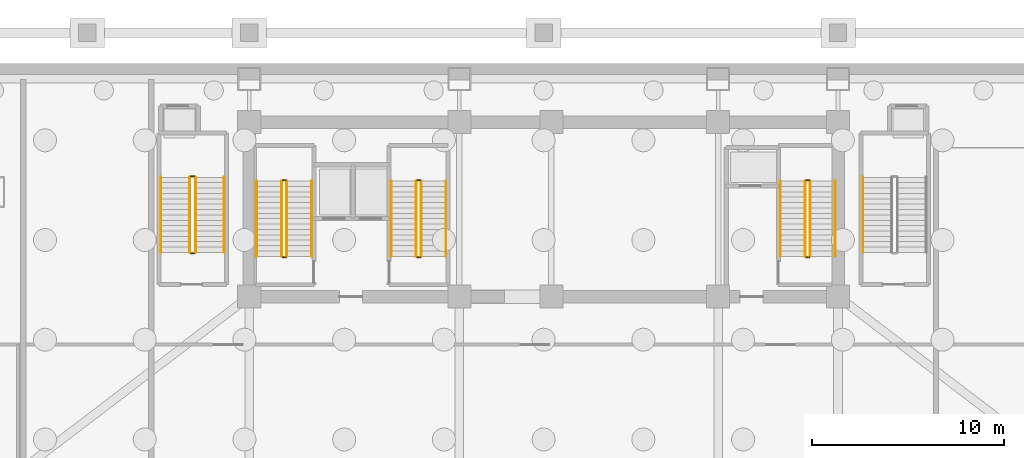
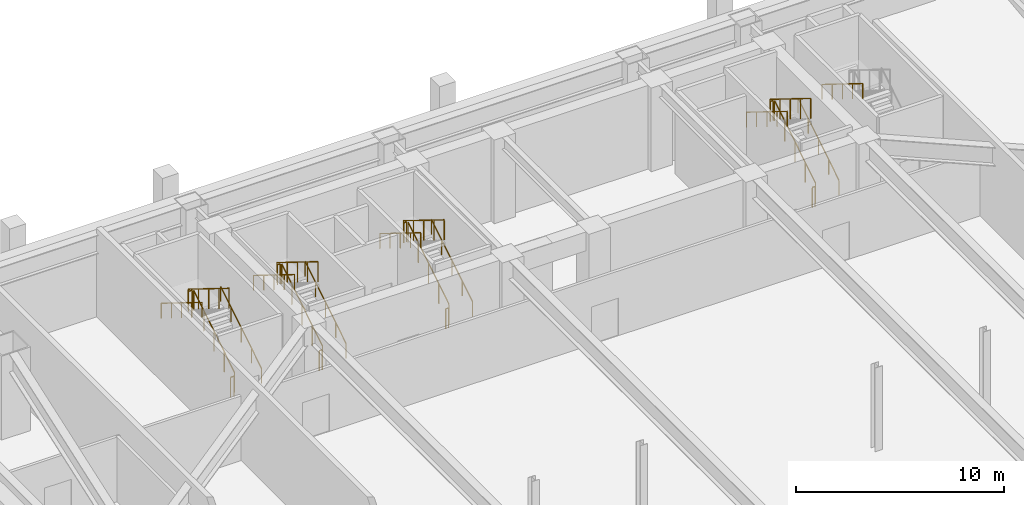
# One storey, part 8 of 10: 25 railings.
"""IFC4 building model written with IfcOpenShell, lengths in metres."""

from ifc_helpers import new_model, si_unit, direction, frame, origin, origin_2d, place, context, subcontext, project, spatial, rectangle, extrude, material, type_object, element, save


model = new_model("IFC4")

# Units and contexts
model_context = context("Model", 3, precision=1e-05, world=origin(), true_north=direction((0.0, 1.0)))
body_context = subcontext(model_context, "Body", "Model", "MODEL_VIEW")
ifc_project = project(units=[si_unit("LENGTHUNIT", "METRE"), si_unit("AREAUNIT", "SQUARE_METRE"), si_unit("VOLUMEUNIT", "CUBIC_METRE"), si_unit("PLANEANGLEUNIT", "RADIAN"), si_unit("MASSUNIT", "GRAM", prefix="KILO")], contexts=[model_context])

# Site, building, storey
site_placement = place(None, origin())
site = spatial("IfcSite", under=ifc_project, at=site_placement, CompositionType="ELEMENT")
building_placement = place(site_placement, origin())
building = spatial("IfcBuilding", under=site, at=building_placement, Name="Giltprow Tower", CompositionType="ELEMENT")
storey_placement = place(building_placement, frame((0.0, 0.0, -10.39990234375)))
storey = spatial("IfcBuildingStorey", under=building, at=storey_placement, Name="B02", CompositionType="ELEMENT", Elevation=-10.39990234375)

# Railings
ifc_material = material(Name="Anodized bronze", Category="metal")
railing_type_1 = type_object("IfcRailingType", Name="RAIL-STAIR-GUARD-1200", PredefinedType="GUARDRAIL", material=ifc_material)
railing_1_placement = place(storey_placement, frame((21.81005859375, 39.550048828125, 0.17333984375)))
element("IfcRailing", 1, at=railing_1_placement, inside=storey, type_object=railing_type_1, Name="B02 ST-1 stair guard 1", PredefinedType="GUARDRAIL", context=body_context, shape_type="SweptSolid", body=[
    extrude(rectangle(XDim=0.048095703125, YDim=0.048095703125, at=origin_2d()), frame((0.0, 0.0, 1.17578125), z_axis=(0.0, 0.850275303828, 0.526338206574), x_axis=(-1.0, 0.0, 0.0)), (0.0, 0.0, 1.0), 4.610107421875),
    extrude(rectangle(XDim=0.0419921875, YDim=0.0419921875, at=origin_2d()), origin(), (0.0, 0.0, 1.0), 1.15185546875),
    extrude(rectangle(XDim=0.0419921875, YDim=0.0419921875, at=origin_2d()), frame((0.0, 0.97998046875, 0.606689453125)), (0.0, 0.0, 1.0), 1.15185546875),
    extrude(rectangle(XDim=0.0419921875, YDim=0.0419921875, at=origin_2d()), frame((0.0, 1.9599609375, 1.21337890625)), (0.0, 0.0, 1.0), 1.15185546875),
    extrude(rectangle(XDim=0.0419921875, YDim=0.0419921875, at=origin_2d()), frame((0.0, 2.93994140625, 1.81982421875)), (0.0, 0.0, 1.0), 1.15185546875),
    extrude(rectangle(XDim=0.0419921875, YDim=0.0419921875, at=origin_2d()), frame((0.0, 3.919921875, 2.426513671875)), (0.0, 0.0, 1.0), 1.15185546875),
])
railing_2_placement = place(storey_placement, frame((21.760009765625, 43.52001953125, 2.599853515625)))
element("IfcRailing", 2, at=railing_2_placement, inside=storey, type_object=railing_type_1, Name="B02 ST-1 stair guard 2", PredefinedType="GUARDRAIL", context=body_context, shape_type="SweptSolid", body=[
    extrude(rectangle(XDim=0.048095703125, YDim=0.048095703125, at=origin_2d()), frame((0.0, 0.0, 1.17578125), z_axis=(-1.0, 0.0, 0.0), x_axis=(0.0, -1.0, 0.0)), (0.0, 0.0, 1.0), 0.159912109375),
    extrude(rectangle(XDim=0.0419921875, YDim=0.0419921875, at=origin_2d()), origin(), (0.0, 0.0, 1.0), 1.15185546875),
    extrude(rectangle(XDim=0.0419921875, YDim=0.0419921875, at=origin_2d()), frame((-0.159912109375, 0.0, 0.0)), (0.0, 0.0, 1.0), 1.15185546875),
])
railing_3_placement = place(storey_placement, frame((21.550048828125, 43.469970703125, 2.773193359375)))
element("IfcRailing", 3, at=railing_3_placement, inside=storey, type_object=railing_type_1, Name="B02 ST-1 stair guard 3", PredefinedType="GUARDRAIL", context=body_context, shape_type="SweptSolid", body=[
    extrude(rectangle(XDim=0.048095703125, YDim=0.048095703125, at=origin_2d()), frame((0.0, 0.0, 1.17578125), z_axis=(0.0, -0.850251603719, 0.526376491091), x_axis=(1.0, 0.0, 0.0)), (0.0, 0.0, 1.0), 4.6103515625),
    extrude(rectangle(XDim=0.0419921875, YDim=0.0419921875, at=origin_2d()), origin(), (0.0, 0.0, 1.0), 1.15185546875),
    extrude(rectangle(XDim=0.0419921875, YDim=0.0419921875, at=origin_2d()), frame((0.0, -0.97998046875, 0.606689453125)), (0.0, 0.0, 1.0), 1.15185546875),
    extrude(rectangle(XDim=0.0419921875, YDim=0.0419921875, at=origin_2d()), frame((0.0, -1.9599609375, 1.21337890625)), (0.0, 0.0, 1.0), 1.15185546875),
    extrude(rectangle(XDim=0.0419921875, YDim=0.0419921875, at=origin_2d()), frame((0.0, -2.93994140625, 1.820068359375)), (0.0, 0.0, 1.0), 1.15185546875),
    extrude(rectangle(XDim=0.0419921875, YDim=0.0419921875, at=origin_2d()), frame((0.0, -3.919921875, 2.4267578125)), (0.0, 0.0, 1.0), 1.15185546875),
])
railing_4_placement = place(storey_placement, frame((21.760009765625, 39.5, 0.0)))
element("IfcRailing", 4, at=railing_4_placement, inside=storey, type_object=railing_type_1, Name="B02 ST-1 stair guard 4", PredefinedType="GUARDRAIL", context=body_context, shape_type="SweptSolid", body=[
    extrude(rectangle(XDim=0.048095703125, YDim=0.048095703125, at=origin_2d()), frame((0.0, 0.0, 1.17578125), z_axis=(-1.0, 0.0, 0.0), x_axis=(0.0, -1.0, 0.0)), (0.0, 0.0, 1.0), 0.159912109375),
    extrude(rectangle(XDim=0.0419921875, YDim=0.0419921875, at=origin_2d()), origin(), (0.0, 0.0, 1.0), 1.15185546875),
    extrude(rectangle(XDim=0.0419921875, YDim=0.0419921875, at=origin_2d()), frame((-0.159912109375, 0.0, 0.0)), (0.0, 0.0, 1.0), 1.15185546875),
])
railing_5_placement = place(storey_placement, frame((28.81005859375, 39.550048828125, 0.17333984375)))
element("IfcRailing", 5, at=railing_5_placement, inside=storey, type_object=railing_type_1, Name="B02 ST-2 stair guard 1", PredefinedType="GUARDRAIL", context=body_context, shape_type="SweptSolid", body=[
    extrude(rectangle(XDim=0.048095703125, YDim=0.048095703125, at=origin_2d()), frame((0.0, 0.0, 1.17578125), z_axis=(0.0, 0.850275303828, 0.526338206574), x_axis=(-1.0, 0.0, 0.0)), (0.0, 0.0, 1.0), 4.610107421875),
    extrude(rectangle(XDim=0.0419921875, YDim=0.0419921875, at=origin_2d()), origin(), (0.0, 0.0, 1.0), 1.15185546875),
    extrude(rectangle(XDim=0.0419921875, YDim=0.0419921875, at=origin_2d()), frame((0.0, 0.97998046875, 0.606689453125)), (0.0, 0.0, 1.0), 1.15185546875),
    extrude(rectangle(XDim=0.0419921875, YDim=0.0419921875, at=origin_2d()), frame((0.0, 1.9599609375, 1.21337890625)), (0.0, 0.0, 1.0), 1.15185546875),
    extrude(rectangle(XDim=0.0419921875, YDim=0.0419921875, at=origin_2d()), frame((0.0, 2.93994140625, 1.81982421875)), (0.0, 0.0, 1.0), 1.15185546875),
    extrude(rectangle(XDim=0.0419921875, YDim=0.0419921875, at=origin_2d()), frame((0.0, 3.919921875, 2.426513671875)), (0.0, 0.0, 1.0), 1.15185546875),
])
railing_6_placement = place(storey_placement, frame((28.760009765625, 43.52001953125, 2.599853515625)))
element("IfcRailing", 6, at=railing_6_placement, inside=storey, type_object=railing_type_1, Name="B02 ST-2 stair guard 2", PredefinedType="GUARDRAIL", context=body_context, shape_type="SweptSolid", body=[
    extrude(rectangle(XDim=0.048095703125, YDim=0.048095703125, at=origin_2d()), frame((0.0, 0.0, 1.17578125), z_axis=(-1.0, 0.0, 0.0), x_axis=(0.0, -1.0, 0.0)), (0.0, 0.0, 1.0), 0.159912109375),
    extrude(rectangle(XDim=0.0419921875, YDim=0.0419921875, at=origin_2d()), origin(), (0.0, 0.0, 1.0), 1.15185546875),
    extrude(rectangle(XDim=0.0419921875, YDim=0.0419921875, at=origin_2d()), frame((-0.159912109375, 0.0, 0.0)), (0.0, 0.0, 1.0), 1.15185546875),
])
railing_7_placement = place(storey_placement, frame((28.550048828125, 43.469970703125, 2.773193359375)))
element("IfcRailing", 7, at=railing_7_placement, inside=storey, type_object=railing_type_1, Name="B02 ST-2 stair guard 3", PredefinedType="GUARDRAIL", context=body_context, shape_type="SweptSolid", body=[
    extrude(rectangle(XDim=0.048095703125, YDim=0.048095703125, at=origin_2d()), frame((0.0, 0.0, 1.17578125), z_axis=(0.0, -0.850251603719, 0.526376491091), x_axis=(1.0, 0.0, 0.0)), (0.0, 0.0, 1.0), 4.6103515625),
    extrude(rectangle(XDim=0.0419921875, YDim=0.0419921875, at=origin_2d()), origin(), (0.0, 0.0, 1.0), 1.15185546875),
    extrude(rectangle(XDim=0.0419921875, YDim=0.0419921875, at=origin_2d()), frame((0.0, -0.97998046875, 0.606689453125)), (0.0, 0.0, 1.0), 1.15185546875),
    extrude(rectangle(XDim=0.0419921875, YDim=0.0419921875, at=origin_2d()), frame((0.0, -1.9599609375, 1.21337890625)), (0.0, 0.0, 1.0), 1.15185546875),
    extrude(rectangle(XDim=0.0419921875, YDim=0.0419921875, at=origin_2d()), frame((0.0, -2.93994140625, 1.820068359375)), (0.0, 0.0, 1.0), 1.15185546875),
    extrude(rectangle(XDim=0.0419921875, YDim=0.0419921875, at=origin_2d()), frame((0.0, -3.919921875, 2.4267578125)), (0.0, 0.0, 1.0), 1.15185546875),
])
railing_8_placement = place(storey_placement, frame((28.760009765625, 39.5, 0.0)))
element("IfcRailing", 8, at=railing_8_placement, inside=storey, type_object=railing_type_1, Name="B02 ST-2 stair guard 4", PredefinedType="GUARDRAIL", context=body_context, shape_type="SweptSolid", body=[
    extrude(rectangle(XDim=0.048095703125, YDim=0.048095703125, at=origin_2d()), frame((0.0, 0.0, 1.17578125), z_axis=(-1.0, 0.0, 0.0), x_axis=(0.0, -1.0, 0.0)), (0.0, 0.0, 1.0), 0.159912109375),
    extrude(rectangle(XDim=0.0419921875, YDim=0.0419921875, at=origin_2d()), origin(), (0.0, 0.0, 1.0), 1.15185546875),
    extrude(rectangle(XDim=0.0419921875, YDim=0.0419921875, at=origin_2d()), frame((-0.159912109375, 0.0, 0.0)), (0.0, 0.0, 1.0), 1.15185546875),
])
railing_9_placement = place(storey_placement, frame((49.110107421875, 39.550048828125, 0.17333984375)))
element("IfcRailing", 9, at=railing_9_placement, inside=storey, type_object=railing_type_1, Name="B02 ST-3 stair guard 1", PredefinedType="GUARDRAIL", context=body_context, shape_type="SweptSolid", body=[
    extrude(rectangle(XDim=0.048095703125, YDim=0.048095703125, at=origin_2d()), frame((0.0, 0.0, 1.17578125), z_axis=(0.0, 0.850275303828, 0.526338206574), x_axis=(-1.0, 0.0, 0.0)), (0.0, 0.0, 1.0), 4.610107421875),
    extrude(rectangle(XDim=0.0419921875, YDim=0.0419921875, at=origin_2d()), origin(), (0.0, 0.0, 1.0), 1.15185546875),
    extrude(rectangle(XDim=0.0419921875, YDim=0.0419921875, at=origin_2d()), frame((0.0, 0.97998046875, 0.606689453125)), (0.0, 0.0, 1.0), 1.15185546875),
    extrude(rectangle(XDim=0.0419921875, YDim=0.0419921875, at=origin_2d()), frame((0.0, 1.9599609375, 1.21337890625)), (0.0, 0.0, 1.0), 1.15185546875),
    extrude(rectangle(XDim=0.0419921875, YDim=0.0419921875, at=origin_2d()), frame((0.0, 2.93994140625, 1.81982421875)), (0.0, 0.0, 1.0), 1.15185546875),
    extrude(rectangle(XDim=0.0419921875, YDim=0.0419921875, at=origin_2d()), frame((0.0, 3.919921875, 2.426513671875)), (0.0, 0.0, 1.0), 1.15185546875),
])
railing_10_placement = place(storey_placement, frame((49.06005859375, 43.52001953125, 2.599853515625)))
element("IfcRailing", 10, at=railing_10_placement, inside=storey, type_object=railing_type_1, Name="B02 ST-3 stair guard 2", PredefinedType="GUARDRAIL", context=body_context, shape_type="SweptSolid", body=[
    extrude(rectangle(XDim=0.048095703125, YDim=0.048095703125, at=origin_2d()), frame((0.0, 0.0, 1.17578125), z_axis=(-1.0, 0.0, 0.0), x_axis=(0.0, -1.0, 0.0)), (0.0, 0.0, 1.0), 0.16015625),
    extrude(rectangle(XDim=0.0419921875, YDim=0.0419921875, at=origin_2d()), origin(), (0.0, 0.0, 1.0), 1.15185546875),
    extrude(rectangle(XDim=0.0419921875, YDim=0.0419921875, at=origin_2d()), frame((-0.16015625, 0.0, 0.0)), (0.0, 0.0, 1.0), 1.15185546875),
])
railing_11_placement = place(storey_placement, frame((48.85009765625, 43.469970703125, 2.773193359375)))
element("IfcRailing", 11, at=railing_11_placement, inside=storey, type_object=railing_type_1, Name="B02 ST-3 stair guard 3", PredefinedType="GUARDRAIL", context=body_context, shape_type="SweptSolid", body=[
    extrude(rectangle(XDim=0.048095703125, YDim=0.048095703125, at=origin_2d()), frame((0.0, 0.0, 1.17578125), z_axis=(0.0, -0.850251603719, 0.526376491091), x_axis=(1.0, 0.0, 0.0)), (0.0, 0.0, 1.0), 4.6103515625),
    extrude(rectangle(XDim=0.0419921875, YDim=0.0419921875, at=origin_2d()), origin(), (0.0, 0.0, 1.0), 1.15185546875),
    extrude(rectangle(XDim=0.0419921875, YDim=0.0419921875, at=origin_2d()), frame((0.0, -0.97998046875, 0.606689453125)), (0.0, 0.0, 1.0), 1.15185546875),
    extrude(rectangle(XDim=0.0419921875, YDim=0.0419921875, at=origin_2d()), frame((0.0, -1.9599609375, 1.21337890625)), (0.0, 0.0, 1.0), 1.15185546875),
    extrude(rectangle(XDim=0.0419921875, YDim=0.0419921875, at=origin_2d()), frame((0.0, -2.93994140625, 1.820068359375)), (0.0, 0.0, 1.0), 1.15185546875),
    extrude(rectangle(XDim=0.0419921875, YDim=0.0419921875, at=origin_2d()), frame((0.0, -3.919921875, 2.4267578125)), (0.0, 0.0, 1.0), 1.15185546875),
])
railing_12_placement = place(storey_placement, frame((49.06005859375, 39.5, 0.0)))
element("IfcRailing", 12, at=railing_12_placement, inside=storey, type_object=railing_type_1, Name="B02 ST-3 stair guard 4", PredefinedType="GUARDRAIL", context=body_context, shape_type="SweptSolid", body=[
    extrude(rectangle(XDim=0.048095703125, YDim=0.048095703125, at=origin_2d()), frame((0.0, 0.0, 1.17578125), z_axis=(-1.0, 0.0, 0.0), x_axis=(0.0, -1.0, 0.0)), (0.0, 0.0, 1.0), 0.16015625),
    extrude(rectangle(XDim=0.0419921875, YDim=0.0419921875, at=origin_2d()), origin(), (0.0, 0.0, 1.0), 1.15185546875),
    extrude(rectangle(XDim=0.0419921875, YDim=0.0419921875, at=origin_2d()), frame((-0.16015625, 0.0, 0.0)), (0.0, 0.0, 1.0), 1.15185546875),
])
railing_13_placement = place(storey_placement, frame((17.050048828125, 39.75, 0.17333984375)))
element("IfcRailing", 13, at=railing_13_placement, inside=storey, type_object=railing_type_1, Name="B02 ST-P1 stair guard 1", PredefinedType="GUARDRAIL", context=body_context, shape_type="SweptSolid", body=[
    extrude(rectangle(XDim=0.048095703125, YDim=0.048095703125, at=origin_2d()), frame((0.0, 0.0, 1.17578125), z_axis=(0.0, 0.850275303828, 0.526338206574), x_axis=(-1.0, 0.0, 0.0)), (0.0, 0.0, 1.0), 4.610107421875),
    extrude(rectangle(XDim=0.0419921875, YDim=0.0419921875, at=origin_2d()), origin(), (0.0, 0.0, 1.0), 1.15185546875),
    extrude(rectangle(XDim=0.0419921875, YDim=0.0419921875, at=origin_2d()), frame((0.0, 0.97998046875, 0.606689453125)), (0.0, 0.0, 1.0), 1.15185546875),
    extrude(rectangle(XDim=0.0419921875, YDim=0.0419921875, at=origin_2d()), frame((0.0, 1.9599609375, 1.21337890625)), (0.0, 0.0, 1.0), 1.15185546875),
    extrude(rectangle(XDim=0.0419921875, YDim=0.0419921875, at=origin_2d()), frame((0.0, 2.93994140625, 1.81982421875)), (0.0, 0.0, 1.0), 1.15185546875),
    extrude(rectangle(XDim=0.0419921875, YDim=0.0419921875, at=origin_2d()), frame((0.0, 3.919921875, 2.426513671875)), (0.0, 0.0, 1.0), 1.15185546875),
])
railing_14_placement = place(storey_placement, frame((17.0, 43.719970703125, 2.599853515625)))
element("IfcRailing", 14, at=railing_14_placement, inside=storey, type_object=railing_type_1, Name="B02 ST-P1 stair guard 2", PredefinedType="GUARDRAIL", context=body_context, shape_type="SweptSolid", body=[
    extrude(rectangle(XDim=0.048095703125, YDim=0.048095703125, at=origin_2d()), frame((0.0, 0.0, 1.17578125), z_axis=(-1.0, 0.0, 0.0), x_axis=(0.0, -1.0, 0.0)), (0.0, 0.0, 1.0), 0.199951171875),
    extrude(rectangle(XDim=0.0419921875, YDim=0.0419921875, at=origin_2d()), origin(), (0.0, 0.0, 1.0), 1.15185546875),
    extrude(rectangle(XDim=0.0419921875, YDim=0.0419921875, at=origin_2d()), frame((-0.199951171875, 0.0, 0.0)), (0.0, 0.0, 1.0), 1.15185546875),
])
railing_15_placement = place(storey_placement, frame((16.75, 43.669921875, 2.773193359375)))
element("IfcRailing", 15, at=railing_15_placement, inside=storey, type_object=railing_type_1, Name="B02 ST-P1 stair guard 3", PredefinedType="GUARDRAIL", context=body_context, shape_type="SweptSolid", body=[
    extrude(rectangle(XDim=0.048095703125, YDim=0.048095703125, at=origin_2d()), frame((0.0, 0.0, 1.17578125), z_axis=(0.0, -0.850251603719, 0.526376491091), x_axis=(1.0, 0.0, 0.0)), (0.0, 0.0, 1.0), 4.6103515625),
    extrude(rectangle(XDim=0.0419921875, YDim=0.0419921875, at=origin_2d()), origin(), (0.0, 0.0, 1.0), 1.15185546875),
    extrude(rectangle(XDim=0.0419921875, YDim=0.0419921875, at=origin_2d()), frame((0.0, -0.97998046875, 0.606689453125)), (0.0, 0.0, 1.0), 1.15185546875),
    extrude(rectangle(XDim=0.0419921875, YDim=0.0419921875, at=origin_2d()), frame((0.0, -1.9599609375, 1.21337890625)), (0.0, 0.0, 1.0), 1.15185546875),
    extrude(rectangle(XDim=0.0419921875, YDim=0.0419921875, at=origin_2d()), frame((0.0, -2.93994140625, 1.820068359375)), (0.0, 0.0, 1.0), 1.15185546875),
    extrude(rectangle(XDim=0.0419921875, YDim=0.0419921875, at=origin_2d()), frame((0.0, -3.919921875, 2.4267578125)), (0.0, 0.0, 1.0), 1.15185546875),
])
railing_16_placement = place(storey_placement, frame((17.0, 39.699951171875, 0.0)))
element("IfcRailing", 16, at=railing_16_placement, inside=storey, type_object=railing_type_1, Name="B02 ST-P1 stair guard 4", PredefinedType="GUARDRAIL", context=body_context, shape_type="SweptSolid", body=[
    extrude(rectangle(XDim=0.048095703125, YDim=0.048095703125, at=origin_2d()), frame((0.0, 0.0, 1.17578125), z_axis=(-1.0, 0.0, 0.0), x_axis=(0.0, -1.0, 0.0)), (0.0, 0.0, 1.0), 0.199951171875),
    extrude(rectangle(XDim=0.0419921875, YDim=0.0419921875, at=origin_2d()), origin(), (0.0, 0.0, 1.0), 1.15185546875),
    extrude(rectangle(XDim=0.0419921875, YDim=0.0419921875, at=origin_2d()), frame((-0.199951171875, 0.0, 0.0)), (0.0, 0.0, 1.0), 1.15185546875),
])
railing_type_2 = type_object("IfcRailingType", Name="RAIL-STAIR-HAND-900", PredefinedType="HANDRAIL", material=ifc_material)
railing_17_placement = place(storey_placement, frame((23.110107421875, 39.550048828125, 0.17333984375)))
element("IfcRailing", 17, at=railing_17_placement, inside=storey, type_object=railing_type_2, Name="B02 ST-1 stair handrail 1", PredefinedType="HANDRAIL", context=body_context, shape_type="SweptSolid", body=[
    extrude(rectangle(XDim=0.048095703125, YDim=0.048095703125, at=origin_2d()), frame((0.0, 0.0, 0.8759765625), z_axis=(0.0, 0.850275303828, 0.526338206574), x_axis=(-1.0, 0.0, 0.0)), (0.0, 0.0, 1.0), 4.610107421875),
    extrude(rectangle(XDim=0.0419921875, YDim=0.0419921875, at=origin_2d()), origin(), (0.0, 0.0, 1.0), 0.851806640625),
    extrude(rectangle(XDim=0.0419921875, YDim=0.0419921875, at=origin_2d()), frame((0.0, 0.97998046875, 0.606689453125)), (0.0, 0.0, 1.0), 0.851806640625),
    extrude(rectangle(XDim=0.0419921875, YDim=0.0419921875, at=origin_2d()), frame((0.0, 1.9599609375, 1.21337890625)), (0.0, 0.0, 1.0), 0.851806640625),
    extrude(rectangle(XDim=0.0419921875, YDim=0.0419921875, at=origin_2d()), frame((0.0, 2.93994140625, 1.81982421875)), (0.0, 0.0, 1.0), 0.851806640625),
    extrude(rectangle(XDim=0.0419921875, YDim=0.0419921875, at=origin_2d()), frame((0.0, 3.919921875, 2.426513671875)), (0.0, 0.0, 1.0), 0.851806640625),
])
railing_18_placement = place(storey_placement, frame((20.25, 43.469970703125, 2.773193359375)))
element("IfcRailing", 18, at=railing_18_placement, inside=storey, type_object=railing_type_2, Name="B02 ST-1 stair handrail 2", PredefinedType="HANDRAIL", context=body_context, shape_type="SweptSolid", body=[
    extrude(rectangle(XDim=0.048095703125, YDim=0.048095703125, at=origin_2d()), frame((0.0, 0.0, 0.8759765625), z_axis=(0.0, -0.850251603719, 0.526376491091), x_axis=(1.0, 0.0, 0.0)), (0.0, 0.0, 1.0), 4.6103515625),
    extrude(rectangle(XDim=0.0419921875, YDim=0.0419921875, at=origin_2d()), origin(), (0.0, 0.0, 1.0), 0.851806640625),
    extrude(rectangle(XDim=0.0419921875, YDim=0.0419921875, at=origin_2d()), frame((0.0, -0.97998046875, 0.606689453125)), (0.0, 0.0, 1.0), 0.851806640625),
    extrude(rectangle(XDim=0.0419921875, YDim=0.0419921875, at=origin_2d()), frame((0.0, -1.9599609375, 1.21337890625)), (0.0, 0.0, 1.0), 0.851806640625),
    extrude(rectangle(XDim=0.0419921875, YDim=0.0419921875, at=origin_2d()), frame((0.0, -2.93994140625, 1.820068359375)), (0.0, 0.0, 1.0), 0.851806640625),
    extrude(rectangle(XDim=0.0419921875, YDim=0.0419921875, at=origin_2d()), frame((0.0, -3.919921875, 2.4267578125)), (0.0, 0.0, 1.0), 0.851806640625),
])
railing_19_placement = place(storey_placement, frame((30.110107421875, 39.550048828125, 0.17333984375)))
element("IfcRailing", 19, at=railing_19_placement, inside=storey, type_object=railing_type_2, Name="B02 ST-2 stair handrail 1", PredefinedType="HANDRAIL", context=body_context, shape_type="SweptSolid", body=[
    extrude(rectangle(XDim=0.048095703125, YDim=0.048095703125, at=origin_2d()), frame((0.0, 0.0, 0.8759765625), z_axis=(0.0, 0.850275303828, 0.526338206574), x_axis=(-1.0, 0.0, 0.0)), (0.0, 0.0, 1.0), 4.610107421875),
    extrude(rectangle(XDim=0.0419921875, YDim=0.0419921875, at=origin_2d()), origin(), (0.0, 0.0, 1.0), 0.851806640625),
    extrude(rectangle(XDim=0.0419921875, YDim=0.0419921875, at=origin_2d()), frame((0.0, 0.97998046875, 0.606689453125)), (0.0, 0.0, 1.0), 0.851806640625),
    extrude(rectangle(XDim=0.0419921875, YDim=0.0419921875, at=origin_2d()), frame((0.0, 1.9599609375, 1.21337890625)), (0.0, 0.0, 1.0), 0.851806640625),
    extrude(rectangle(XDim=0.0419921875, YDim=0.0419921875, at=origin_2d()), frame((0.0, 2.93994140625, 1.81982421875)), (0.0, 0.0, 1.0), 0.851806640625),
    extrude(rectangle(XDim=0.0419921875, YDim=0.0419921875, at=origin_2d()), frame((0.0, 3.919921875, 2.426513671875)), (0.0, 0.0, 1.0), 0.851806640625),
])
railing_20_placement = place(storey_placement, frame((27.25, 43.469970703125, 2.773193359375)))
element("IfcRailing", 20, at=railing_20_placement, inside=storey, type_object=railing_type_2, Name="B02 ST-2 stair handrail 2", PredefinedType="HANDRAIL", context=body_context, shape_type="SweptSolid", body=[
    extrude(rectangle(XDim=0.048095703125, YDim=0.048095703125, at=origin_2d()), frame((0.0, 0.0, 0.8759765625), z_axis=(0.0, -0.850251603719, 0.526376491091), x_axis=(1.0, 0.0, 0.0)), (0.0, 0.0, 1.0), 4.6103515625),
    extrude(rectangle(XDim=0.0419921875, YDim=0.0419921875, at=origin_2d()), origin(), (0.0, 0.0, 1.0), 0.851806640625),
    extrude(rectangle(XDim=0.0419921875, YDim=0.0419921875, at=origin_2d()), frame((0.0, -0.97998046875, 0.606689453125)), (0.0, 0.0, 1.0), 0.851806640625),
    extrude(rectangle(XDim=0.0419921875, YDim=0.0419921875, at=origin_2d()), frame((0.0, -1.9599609375, 1.21337890625)), (0.0, 0.0, 1.0), 0.851806640625),
    extrude(rectangle(XDim=0.0419921875, YDim=0.0419921875, at=origin_2d()), frame((0.0, -2.93994140625, 1.820068359375)), (0.0, 0.0, 1.0), 0.851806640625),
    extrude(rectangle(XDim=0.0419921875, YDim=0.0419921875, at=origin_2d()), frame((0.0, -3.919921875, 2.4267578125)), (0.0, 0.0, 1.0), 0.851806640625),
])
railing_21_placement = place(storey_placement, frame((50.409912109375, 39.550048828125, 0.17333984375)))
element("IfcRailing", 21, at=railing_21_placement, inside=storey, type_object=railing_type_2, Name="B02 ST-3 stair handrail 1", PredefinedType="HANDRAIL", context=body_context, shape_type="SweptSolid", body=[
    extrude(rectangle(XDim=0.048095703125, YDim=0.048095703125, at=origin_2d()), frame((0.0, 0.0, 0.8759765625), z_axis=(0.0, 0.850275303828, 0.526338206574), x_axis=(-1.0, 0.0, 0.0)), (0.0, 0.0, 1.0), 4.610107421875),
    extrude(rectangle(XDim=0.0419921875, YDim=0.0419921875, at=origin_2d()), origin(), (0.0, 0.0, 1.0), 0.851806640625),
    extrude(rectangle(XDim=0.0419921875, YDim=0.0419921875, at=origin_2d()), frame((0.0, 0.97998046875, 0.606689453125)), (0.0, 0.0, 1.0), 0.851806640625),
    extrude(rectangle(XDim=0.0419921875, YDim=0.0419921875, at=origin_2d()), frame((0.0, 1.9599609375, 1.21337890625)), (0.0, 0.0, 1.0), 0.851806640625),
    extrude(rectangle(XDim=0.0419921875, YDim=0.0419921875, at=origin_2d()), frame((0.0, 2.93994140625, 1.81982421875)), (0.0, 0.0, 1.0), 0.851806640625),
    extrude(rectangle(XDim=0.0419921875, YDim=0.0419921875, at=origin_2d()), frame((0.0, 3.919921875, 2.426513671875)), (0.0, 0.0, 1.0), 0.851806640625),
])
railing_22_placement = place(storey_placement, frame((47.550048828125, 43.469970703125, 2.773193359375)))
element("IfcRailing", 22, at=railing_22_placement, inside=storey, type_object=railing_type_2, Name="B02 ST-3 stair handrail 2", PredefinedType="HANDRAIL", context=body_context, shape_type="SweptSolid", body=[
    extrude(rectangle(XDim=0.048095703125, YDim=0.048095703125, at=origin_2d()), frame((0.0, 0.0, 0.8759765625), z_axis=(0.0, -0.850251603719, 0.526376491091), x_axis=(1.0, 0.0, 0.0)), (0.0, 0.0, 1.0), 4.6103515625),
    extrude(rectangle(XDim=0.0419921875, YDim=0.0419921875, at=origin_2d()), origin(), (0.0, 0.0, 1.0), 0.851806640625),
    extrude(rectangle(XDim=0.0419921875, YDim=0.0419921875, at=origin_2d()), frame((0.0, -0.97998046875, 0.606689453125)), (0.0, 0.0, 1.0), 0.851806640625),
    extrude(rectangle(XDim=0.0419921875, YDim=0.0419921875, at=origin_2d()), frame((0.0, -1.9599609375, 1.21337890625)), (0.0, 0.0, 1.0), 0.851806640625),
    extrude(rectangle(XDim=0.0419921875, YDim=0.0419921875, at=origin_2d()), frame((0.0, -2.93994140625, 1.820068359375)), (0.0, 0.0, 1.0), 0.851806640625),
    extrude(rectangle(XDim=0.0419921875, YDim=0.0419921875, at=origin_2d()), frame((0.0, -3.919921875, 2.4267578125)), (0.0, 0.0, 1.0), 0.851806640625),
])
railing_23_placement = place(storey_placement, frame((18.550048828125, 39.75, 0.17333984375)))
element("IfcRailing", 23, at=railing_23_placement, inside=storey, type_object=railing_type_2, Name="B02 ST-P1 stair handrail 1", PredefinedType="HANDRAIL", context=body_context, shape_type="SweptSolid", body=[
    extrude(rectangle(XDim=0.048095703125, YDim=0.048095703125, at=origin_2d()), frame((0.0, 0.0, 0.8759765625), z_axis=(0.0, 0.850275303828, 0.526338206574), x_axis=(-1.0, 0.0, 0.0)), (0.0, 0.0, 1.0), 4.610107421875),
    extrude(rectangle(XDim=0.0419921875, YDim=0.0419921875, at=origin_2d()), origin(), (0.0, 0.0, 1.0), 0.851806640625),
    extrude(rectangle(XDim=0.0419921875, YDim=0.0419921875, at=origin_2d()), frame((0.0, 0.97998046875, 0.606689453125)), (0.0, 0.0, 1.0), 0.851806640625),
    extrude(rectangle(XDim=0.0419921875, YDim=0.0419921875, at=origin_2d()), frame((0.0, 1.9599609375, 1.21337890625)), (0.0, 0.0, 1.0), 0.851806640625),
    extrude(rectangle(XDim=0.0419921875, YDim=0.0419921875, at=origin_2d()), frame((0.0, 2.93994140625, 1.81982421875)), (0.0, 0.0, 1.0), 0.851806640625),
    extrude(rectangle(XDim=0.0419921875, YDim=0.0419921875, at=origin_2d()), frame((0.0, 3.919921875, 2.426513671875)), (0.0, 0.0, 1.0), 0.851806640625),
])
for number, where, name in (
    (24, (15.25, 43.669921875, 2.773193359375), "B02 ST-P1 stair handrail 2"),
    (25, (51.85009765625, 43.669921875, 2.773193359375), "B02 ST-P2 stair handrail 2"),
):
    element("IfcRailing", number, at=place(storey_placement, frame(where)), inside=storey, type_object=railing_type_2, Name=name, PredefinedType="HANDRAIL", context=body_context, shape_type="SweptSolid", body=[
        extrude(rectangle(XDim=0.048095703125, YDim=0.048095703125, at=origin_2d()), frame((0.0, 0.0, 0.8759765625), z_axis=(0.0, -0.850251603719, 0.526376491091), x_axis=(1.0, 0.0, 0.0)), (0.0, 0.0, 1.0), 4.6103515625),
        extrude(rectangle(XDim=0.0419921875, YDim=0.0419921875, at=origin_2d()), origin(), (0.0, 0.0, 1.0), 0.851806640625),
        extrude(rectangle(XDim=0.0419921875, YDim=0.0419921875, at=origin_2d()), frame((0.0, -0.97998046875, 0.606689453125)), (0.0, 0.0, 1.0), 0.851806640625),
        extrude(rectangle(XDim=0.0419921875, YDim=0.0419921875, at=origin_2d()), frame((0.0, -1.9599609375, 1.21337890625)), (0.0, 0.0, 1.0), 0.851806640625),
        extrude(rectangle(XDim=0.0419921875, YDim=0.0419921875, at=origin_2d()), frame((0.0, -2.93994140625, 1.820068359375)), (0.0, 0.0, 1.0), 0.851806640625),
        extrude(rectangle(XDim=0.0419921875, YDim=0.0419921875, at=origin_2d()), frame((0.0, -3.919921875, 2.4267578125)), (0.0, 0.0, 1.0), 0.851806640625),
    ])

save(model, "model.ifc")
